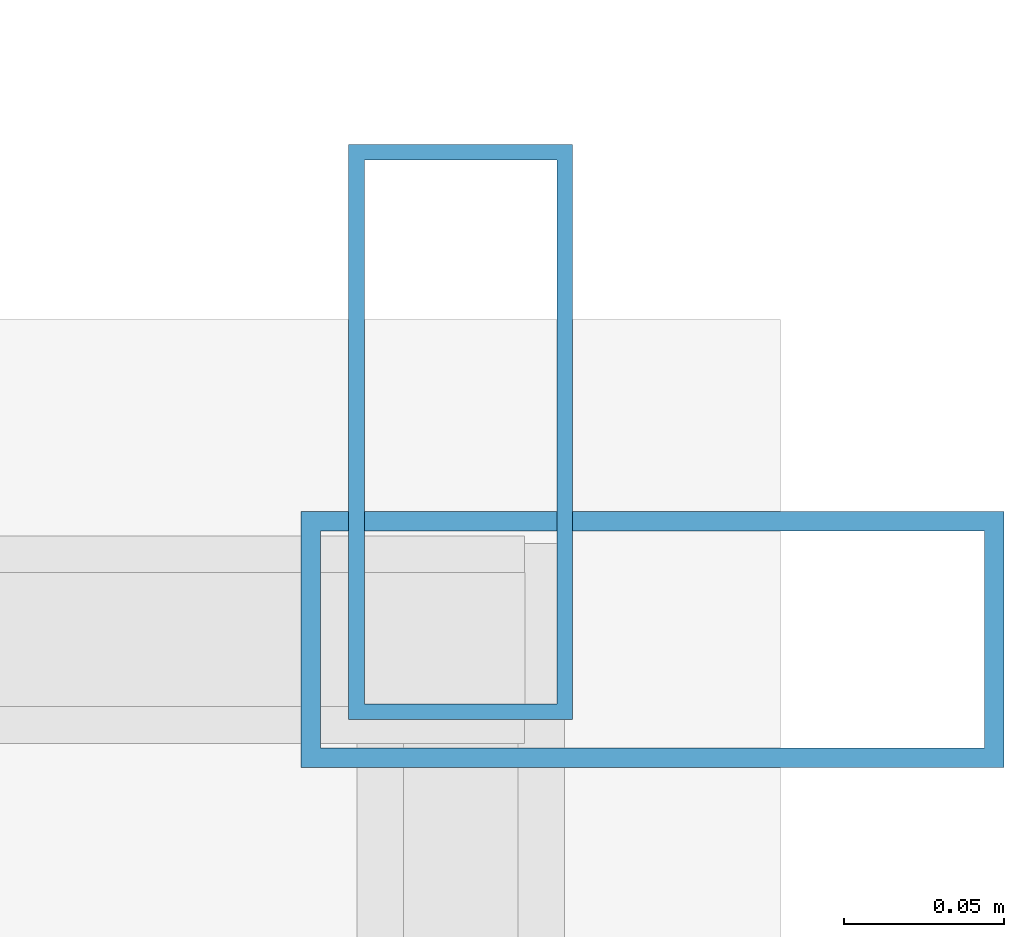
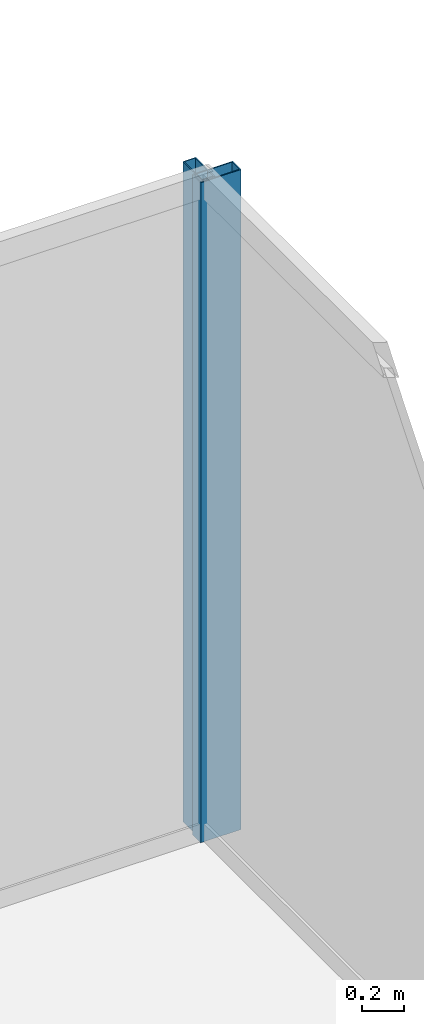
# One storey, part 26 of 36: 2 members, 2 elements without a shape of their own.
"""IFC4 building model written with IfcOpenShell, lengths in metres."""

from ifc_helpers import new_model, si_unit, direction, frame, origin, origin_2d, place, context, subcontext, project, spatial, hollow_rectangle, extrude, source, transform, mapped, material, layer, layer_set, material_profile, profile_set, type_object, type_shapes, element, aggregate, save


model = new_model("IFC4")

# Units and contexts
model_context = context("Model", 3, precision=1e-05, world=origin(), true_north=direction((0.0, 1.0)))
body_context = subcontext(model_context, "Body", "Model", "MODEL_VIEW")
ifc_project = project(units=[si_unit("LENGTHUNIT", "METRE"), si_unit("AREAUNIT", "SQUARE_METRE"), si_unit("VOLUMEUNIT", "CUBIC_METRE"), si_unit("PLANEANGLEUNIT", "RADIAN"), si_unit("MASSUNIT", "GRAM", prefix="KILO")], contexts=[model_context])

# Site, building, storey
site_placement = place(None, origin())
site = spatial("IfcSite", under=ifc_project, at=site_placement, CompositionType="ELEMENT")
building_placement = place(site_placement, origin())
building = spatial("IfcBuilding", under=site, at=building_placement, Name="Haelvirn Gate Laboratories", CompositionType="ELEMENT")
storey_placement = place(building_placement, frame((0.0, 0.0, 254.699951171875)))
storey = spatial("IfcBuildingStorey", under=building, at=storey_placement, Name="L61", CompositionType="ELEMENT", Elevation=254.699951171875)

# Curtain wall, member
ifc_material_1 = material(Name="Anodised bronze unitised aluminium & triple low-E glass", Category="aluminium")
ifc_layer_1 = layer(ifc_material_1, 0.176025390625, Name="CW-SYS-4")
ifc_layer_set_1 = layer_set([ifc_layer_1], Name="Anodised bronze unitised aluminium & triple low-E glass")
curtain_wall_type_1 = type_object("IfcCurtainWallType", Name="CW-SYS-4", PredefinedType="NOTDEFINED", material=ifc_layer_set_1)
curtain_wall_1_placement = place(storey_placement, origin())
curtain_wall_1 = element("IfcCurtainWall", 1, at=curtain_wall_1_placement, inside=storey, type_object=curtain_wall_type_1, Name="L61 Unitised Curtain Wall CW-L61-P0-E07", PredefinedType="NOTDEFINED")
ifc_material_2 = material(Name="Extruded aluminium 6063-T6 (anodised bronze)", Category="aluminium")
ifc_material_profile_1 = material_profile(ifc_material_2, hollow_rectangle(XDim=0.070068359375, YDim=0.179931640625, WallThickness=0.0048828125, at=origin_2d()), Name="CWM-180x70x5")
ifc_profile_set_1 = profile_set([ifc_material_profile_1], Name="Extruded aluminium 6063-T6 (anodised bronze)")
member_type_1 = type_object("IfcMemberType", Name="CWM-T180", PredefinedType="MULLION", material=ifc_profile_set_1)
shared_shape_1 = source(origin(), body_context, "Body", "SweptSolid", [
    extrude(hollow_rectangle(XDim=0.070068359375, YDim=0.179931640625, WallThickness=0.0048828125, at=origin_2d()), origin(), (0.0, 0.0, 1.0), 3.800048828125),
])
type_shapes(member_type_1, [shared_shape_1])
member_1_placement = place(storey_placement, frame((70.699951171875, 42.764892578125, 0.0), z_axis=(0.0, 0.0, 1.0), x_axis=(-1.0, 0.0, 0.0)))
member_1 = element("IfcMember", 2, at=member_1_placement, type_object=member_type_1, Name="CW4 mullion 3", PredefinedType="MULLION", context=body_context, shape_type="MappedRepresentation", body=[
    mapped(shared_shape_1, transform((0.0, 0.0, 0.0), scale=1.0)),
])
aggregate(curtain_wall_1, [member_1])

ifc_layer_2 = layer(ifc_material_1, 0.181884765625, Name="CW-SYS-5")
ifc_layer_set_2 = layer_set([ifc_layer_2], Name="Anodised bronze unitised aluminium & triple low-E glass")
curtain_wall_type_2 = type_object("IfcCurtainWallType", Name="CW-SYS-5", PredefinedType="NOTDEFINED", material=ifc_layer_set_2)
curtain_wall_2_placement = place(storey_placement, origin())
curtain_wall_2 = element("IfcCurtainWall", 3, at=curtain_wall_2_placement, inside=storey, type_object=curtain_wall_type_2, Name="L61 Unitised Curtain Wall CW-L61-P0-E08-1", PredefinedType="NOTDEFINED")
ifc_material_profile_2 = material_profile(ifc_material_2, hollow_rectangle(XDim=0.080078125, YDim=0.219970703125, WallThickness=0.006103515625, at=origin_2d()), Name="CWM-220x80x6")
ifc_profile_set_2 = profile_set([ifc_material_profile_2], Name="Extruded aluminium 6063-T6 (anodised bronze)")
member_type_2 = type_object("IfcMemberType", Name="CWM-T220", PredefinedType="MULLION", material=ifc_profile_set_2)
shared_shape_2 = source(origin(), body_context, "Body", "SweptSolid", [
    extrude(hollow_rectangle(XDim=0.080078125, YDim=0.219970703125, WallThickness=0.006103515625, at=origin_2d()), origin(), (0.0, 0.0, 1.0), 3.800048828125),
])
type_shapes(member_type_2, [shared_shape_2])
member_2_placement = place(storey_placement, frame((70.760009765625, 42.699951171875, 0.0), z_axis=(0.0, 0.0, 1.0), x_axis=(0.0, 1.0, 0.0)))
member_2 = element("IfcMember", 4, at=member_2_placement, type_object=member_type_2, Name="CW5 mullion 2", PredefinedType="MULLION", context=body_context, shape_type="MappedRepresentation", body=[
    mapped(shared_shape_2, transform((0.0, 0.0, 0.0), scale=1.0)),
])
aggregate(curtain_wall_2, [member_2])

save(model, "model.ifc")
